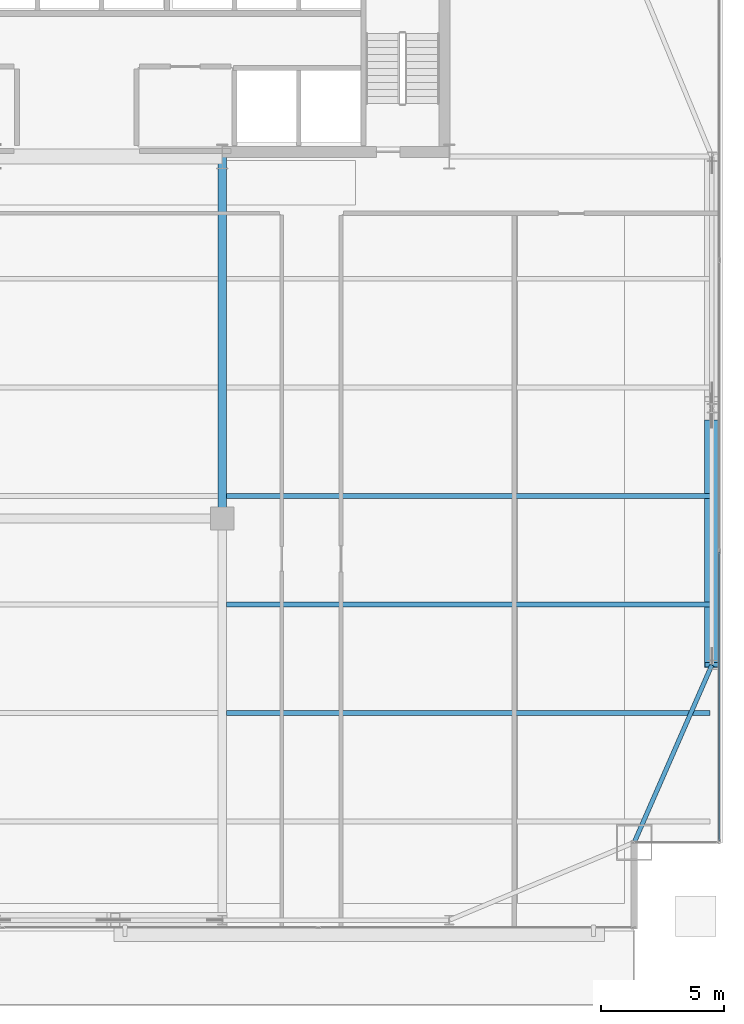
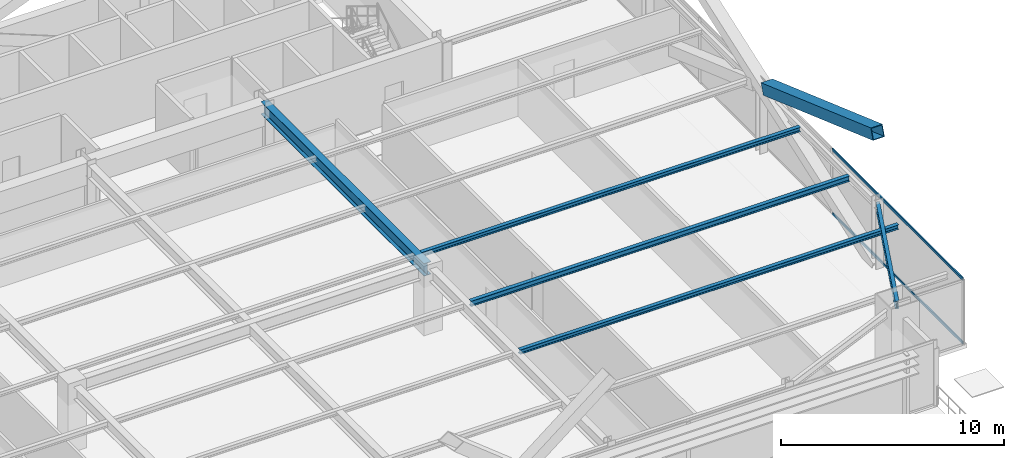
# One storey, part 17 of 35: 5 beams, 3 members, 1 element without a shape of its own.
"""IFC4 building model written with IfcOpenShell, lengths in metres."""

import ifcopenshell
import ifcopenshell.guid

model = None  # the IFC model being written
_history = None  # IfcOwnerHistory: only IFC2X3 demands one
_inside = {}  # id of a spatial element -> (the spatial element, [elements in it])
_under = {}  # id of a project, library or spatial element -> (it, [spatial elements below it])
_declared = {}  # id of a project -> (the project, [libraries it declares])
_typed = {}  # id of a type object -> (the type object, [elements of that type])
_made_of = {}  # id of a material, layer set ... -> (it, [elements and type objects made of it])


def new_model(schema):
    """Start an empty IFC model of exactly this schema.

    Asked for "IFC4X3", IfcOpenShell would pick the latest addendum, in which some entities
    have other attributes; the version numbers below select the first issue.
    IFC2X3 requires an IfcOwnerHistory on every rooted entity: one is made here for all.
    """
    global model, _history
    if schema == "IFC4X3":
        model = ifcopenshell.file(schema_version=(4, 3, 0, 0))
    else:
        model = ifcopenshell.file(schema=schema)
    _inside.clear()
    _under.clear()
    _declared.clear()
    _typed.clear()
    _made_of.clear()
    _history = None
    if model.schema == "IFC2X3":
        org = make("IfcOrganization", Name="unknown")
        user = make(
            "IfcPersonAndOrganization",
            ThePerson=make("IfcPerson", FamilyName="unknown"),
            TheOrganization=org,
        )
        app = make(
            "IfcApplication",
            ApplicationDeveloper=org,
            Version="unknown",
            ApplicationFullName="unknown",
            ApplicationIdentifier="unknown",
        )
        _history = make(
            "IfcOwnerHistory",
            OwningUser=user,
            OwningApplication=app,
            ChangeAction="ADDED",
            CreationDate=0,
        )
    return model


def make(cls, **values):
    """One entity of the class cls with the attributes given. An attribute that is None is left unset."""
    return model.create_entity(
        cls, **{name: value for name, value in values.items() if value is not None}
    )


def rooted(cls, **values):
    """An entity with a GlobalId (a new one), such as an element, a storey or a relation."""
    return make(cls, GlobalId=ifcopenshell.guid.new(), OwnerHistory=_history, **values)


def si_unit(unit_type, name, prefix=None):
    """IfcSIUnit, for example si_unit("LENGTHUNIT", "METRE", prefix="MILLI")."""
    return make("IfcSIUnit", UnitType=unit_type, Prefix=prefix, Name=name)


def assignment(units):
    """IfcUnitAssignment: the units of a project."""
    return None if units is None else make("IfcUnitAssignment", Units=units)


def point(xyz):
    """IfcCartesianPoint."""
    return None if xyz is None else make("IfcCartesianPoint", Coordinates=xyz)


def direction(xyz):
    """IfcDirection."""
    return None if xyz is None else make("IfcDirection", DirectionRatios=xyz)


def frame(location, z_axis=None, x_axis=None):
    """IfcAxis2Placement3D, a coordinate frame: its origin and axes. An axis left out is left unset."""
    return make(
        "IfcAxis2Placement3D",
        Location=point(location),
        Axis=direction(z_axis),
        RefDirection=direction(x_axis),
    )


def frame_2d(location, x_axis=None):
    """IfcAxis2Placement2D, a coordinate frame in the plane: its origin and x axis."""
    return make(
        "IfcAxis2Placement2D", Location=point(location), RefDirection=direction(x_axis)
    )


def origin():
    """The frame at (0, 0, 0) with its axes left unset."""
    return frame((0.0, 0.0, 0.0))


def origin_2d():
    """The frame at (0, 0) in the plane with its x axis left unset."""
    return frame_2d((0.0, 0.0))


def place(relative_to, where):
    """IfcLocalPlacement: puts the frame where relative to a parent placement (None: the world)."""
    return make(
        "IfcLocalPlacement", PlacementRelTo=relative_to, RelativePlacement=where
    )


def context(
    kind, dimensions, precision=None, world=None, true_north=None, identifier=None
):
    """IfcGeometricRepresentationContext, for example the 3D "Model" context."""
    return make(
        "IfcGeometricRepresentationContext",
        ContextIdentifier=identifier,
        ContextType=kind,
        CoordinateSpaceDimension=dimensions,
        Precision=precision,
        WorldCoordinateSystem=world,
        TrueNorth=true_north,
    )


def subcontext(parent, identifier, kind, view, scale=None):
    """IfcGeometricRepresentationSubContext, for example "Body" below "Model"."""
    return make(
        "IfcGeometricRepresentationSubContext",
        ContextIdentifier=identifier,
        ContextType=kind,
        ParentContext=parent,
        TargetScale=scale,
        TargetView=view,
    )


def project(units=None, contexts=None):
    """IfcProject with its units and contexts."""
    return rooted(
        "IfcProject",
        Name="project",
        RepresentationContexts=contexts,
        UnitsInContext=assignment(units),
    )


def spatial(cls, under=None, at=None, **own):
    """A site, building, storey or space (cls), placed at a placement, below another one or the project."""
    s = rooted(cls, ObjectPlacement=at, **own)
    if under is not None:
        _under.setdefault(under.id(), (under, []))[1].append(s)
    return s


def profile(cls, at=None, kind="AREA", **sizes):
    """A parametric profile (cls). Its sizes go by their IFC names, for example OverallWidth=200.0."""
    return make(cls, ProfileType=kind, Position=at, **sizes)


def hollow_rectangle(**sizes):
    """IfcRectangleHollowProfileDef."""
    return profile("IfcRectangleHollowProfileDef", **sizes)


def i_section(**sizes):
    """IfcIShapeProfileDef."""
    return profile("IfcIShapeProfileDef", **sizes)


def extrude(swept, where, along, depth):
    """IfcExtrudedAreaSolid: the profile swept, set in the frame where, extruded along a direction by depth."""
    return make(
        "IfcExtrudedAreaSolid",
        SweptArea=swept,
        Position=where,
        ExtrudedDirection=direction(along),
        Depth=depth,
    )


def shape(context_of_items, identifier, shape_type, items):
    """IfcShapeRepresentation: the items that make up one representation, for example the "Body"."""
    return make(
        "IfcShapeRepresentation",
        ContextOfItems=context_of_items,
        RepresentationIdentifier=identifier,
        RepresentationType=shape_type,
        Items=items,
    )


def source(mapping_origin, context_of_items, identifier, shape_type, items):
    """IfcRepresentationMap: a shape defined once, which mapped items show again and again."""
    return make(
        "IfcRepresentationMap",
        MappingOrigin=mapping_origin,
        MappedRepresentation=shape(context_of_items, identifier, shape_type, items),
    )


def transform(
    local_origin,
    x_axis=None,
    y_axis=None,
    z_axis=None,
    scale=None,
    scale2=None,
    scale3=None,
    uniform=True,
):
    """IfcCartesianTransformationOperator3D, or its non-uniform kind. x_axis, y_axis, z_axis: its Axis1, 2, 3."""
    if uniform:
        return make(
            "IfcCartesianTransformationOperator3D",
            Axis1=direction(x_axis),
            Axis2=direction(y_axis),
            LocalOrigin=point(local_origin),
            Scale=scale,
            Axis3=direction(z_axis),
        )
    return make(
        "IfcCartesianTransformationOperator3DnonUniform",
        Axis1=direction(x_axis),
        Axis2=direction(y_axis),
        LocalOrigin=point(local_origin),
        Scale=scale,
        Axis3=direction(z_axis),
        Scale2=scale2,
        Scale3=scale3,
    )


def mapped(mapping_source, mapping_target):
    """IfcMappedItem: shows the shape of a source again, moved by a transform."""
    return make(
        "IfcMappedItem", MappingSource=mapping_source, MappingTarget=mapping_target
    )


def material(Name=None, Category=None):
    """IfcMaterial."""
    return make("IfcMaterial", Name=Name, Category=Category)


def layer(
    of_material, thickness, ventilated=None, Name=None, Category=None, Priority=None
):
    """IfcMaterialLayer: one layer of a wall or slab, of a material (None: an air gap)."""
    return make(
        "IfcMaterialLayer",
        Material=of_material,
        LayerThickness=thickness,
        IsVentilated=ventilated,
        Name=Name,
        Category=Category,
        Priority=Priority,
    )


def layer_set(layers, Name=None):
    """IfcMaterialLayerSet."""
    return make("IfcMaterialLayerSet", MaterialLayers=layers, LayerSetName=Name)


def material_profile(
    of_material, cross_section, Name=None, Category=None, Priority=None
):
    """IfcMaterialProfile: a cross section and its material."""
    return make(
        "IfcMaterialProfile",
        Name=Name,
        Material=of_material,
        Profile=cross_section,
        Priority=Priority,
        Category=Category,
    )


def profile_set(profiles, Name=None, composite=None):
    """IfcMaterialProfileSet."""
    return make(
        "IfcMaterialProfileSet",
        Name=Name,
        MaterialProfiles=profiles,
        CompositeProfile=composite,
    )


def made_of(thing, what):
    """Note that an element or type object is made of a material, layer set ...; save() writes the relation."""
    if what is not None:
        _made_of.setdefault(what.id(), (what, []))[1].append(thing)
    return thing


def type_object(cls, material=None, **own):
    """A type object (cls), such as IfcWallType, which elements share."""
    return made_of(rooted(cls, **own), material)


def type_shapes(of_type, sources):
    """Give a type object the sources (RepresentationMaps) that its elements show as mapped items."""
    of_type.RepresentationMaps = sources


def element(
    cls,
    number,
    at=None,
    inside=None,
    cuts=None,
    type_object=None,
    material=None,
    context=None,
    identifier="Body",
    shape_type=None,
    held_by="IfcProductDefinitionShape",
    body=None,
    shapes=None,
    **own,
):
    """One element of the class cls, such as IfcWall. Its Tag is "e" and its number.

    at: its placement. inside: the storey or other place that contains it. cuts: it is an
    opening in that element (IfcRelVoidsElement). A single representation is given by context,
    identifier, shape_type and body (its items); several are given by shapes. held_by: the class
    of the entity that holds the representations. save() writes the other relations.
    """
    e = rooted(cls, Tag="e%d" % number, ObjectPlacement=at, **own)
    if body is not None:
        shapes = [shape(context, identifier, shape_type, body)]
    if shapes is not None:
        e.Representation = make(held_by, Representations=shapes)
    if inside is not None:
        _inside.setdefault(inside.id(), (inside, []))[1].append(e)
    if cuts is not None:
        rooted(
            "IfcRelVoidsElement", RelatingBuildingElement=cuts, RelatedOpeningElement=e
        )
    if type_object is not None:
        _typed.setdefault(type_object.id(), (type_object, []))[1].append(e)
    return made_of(e, material)


def aggregate(whole, parts):
    """IfcRelAggregates: a whole, such as a stair, and the parts it consists of."""
    return rooted("IfcRelAggregates", RelatingObject=whole, RelatedObjects=parts)


def save(model, path):
    """Write the relations noted so far, then the file.

    IfcRelAggregates (storeys below a building ...), IfcRelContainedInSpatialStructure (elements
    in a storey), IfcRelDefinesByType, IfcRelAssociatesMaterial and IfcRelDeclares: one each for
    every whole, place, type object, material and project.
    """
    for whole, parts in _under.values():
        aggregate(whole, parts)
    for where, things in _inside.values():
        rooted(
            "IfcRelContainedInSpatialStructure",
            RelatedElements=things,
            RelatingStructure=where,
        )
    for kind, things in _typed.values():
        rooted("IfcRelDefinesByType", RelatedObjects=things, RelatingType=kind)
    for what, things in _made_of.values():
        rooted("IfcRelAssociatesMaterial", RelatedObjects=things, RelatingMaterial=what)
    for by, libraries in _declared.values():
        rooted("IfcRelDeclares", RelatingContext=by, RelatedDefinitions=libraries)
    model.write(path)


model = new_model("IFC4")

# Units and contexts
model_context = context("Model", 3, precision=1e-05, world=origin(), true_north=direction((0.0, 1.0)))
body_context = subcontext(model_context, "Body", "Model", "MODEL_VIEW")
ifc_project = project(units=[si_unit("LENGTHUNIT", "METRE"), si_unit("AREAUNIT", "SQUARE_METRE"), si_unit("VOLUMEUNIT", "CUBIC_METRE"), si_unit("PLANEANGLEUNIT", "RADIAN"), si_unit("MASSUNIT", "GRAM", prefix="KILO")], contexts=[model_context])

# Site, building, storey
site_placement = place(None, origin())
site = spatial("IfcSite", under=ifc_project, at=site_placement, CompositionType="ELEMENT")
building_placement = place(site_placement, origin())
building = spatial("IfcBuilding", under=site, at=building_placement, Name="Varnel Quay Broadcast Tower", CompositionType="ELEMENT")
storey_placement = place(building_placement, frame((0.0, 0.0, 87.0)))
storey = spatial("IfcBuildingStorey", under=building, at=storey_placement, Name="L20", CompositionType="ELEMENT", Elevation=87.0)

# Beams
ifc_material_1 = material(Name="Structural Steel CSA G40.21 350W", Category="steel")
ifc_material_profile_1 = material_profile(ifc_material_1, i_section(OverallWidth=0.180908203125, OverallDepth=0.4169921875, WebThickness=0.010986328125, FlangeThickness=0.018310546875, FilletRadius=0.011962890625, at=origin_2d()), Name="W410X85")
ifc_profile_set_1 = profile_set([ifc_material_profile_1], Name="Structural Steel CSA G40.21 350W")
beam_type_1 = type_object("IfcBeamType", Name="Beam_W410X85", PredefinedType="SPANDREL", material=ifc_profile_set_1)
shared_shape_1 = source(origin(), body_context, "Body", "SweptSolid", [
    extrude(i_section(OverallWidth=0.180908203125, OverallDepth=0.4169921875, WebThickness=0.010986328125, FlangeThickness=0.018310546875, FilletRadius=0.011962890625, at=origin_2d()), origin(), (0.0, 0.0, 1.0), 7.81884765625),
])
type_shapes(beam_type_1, [shared_shape_1])
beam_1_placement = place(storey_placement, frame((59.907958984375, 7.818359375, 3.341552734375), z_axis=(0.400827023998, 0.916153751743, 0.0), x_axis=(-0.916153751743, 0.400827023998, 0.0)))
element("IfcBeam", 1, at=beam_1_placement, inside=storey, type_object=beam_type_1, Name="L20 East Spandrel MC-SE-TC-E1", PredefinedType="SPANDREL", context=body_context, shape_type="MappedRepresentation", body=[
    mapped(shared_shape_1, transform((0.0, 0.0, 0.0), x_axis=(1.0, 0.0, 0.0), y_axis=(0.0, 1.0, 0.0), z_axis=(0.0, 0.0, 1.0), scale=1.0)),
])
ifc_material_profile_2 = material_profile(ifc_material_1, i_section(OverallWidth=0.35498046875, OverallDepth=0.695068359375, WebThickness=0.015380859375, FlangeThickness=0.02490234375, FilletRadius=0.01806640625, at=origin_2d()), Name="W690X217")
ifc_profile_set_2 = profile_set([ifc_material_profile_2], Name="Structural Steel CSA G40.21 350W")
beam_type_2 = type_object("IfcBeamType", Name="Girder_W690X217", PredefinedType="BEAM", material=ifc_profile_set_2)
shared_shape_2 = source(origin(), body_context, "Body", "SweptSolid", [
    extrude(i_section(OverallWidth=0.35498046875, OverallDepth=0.695068359375, WebThickness=0.015380859375, FlangeThickness=0.02490234375, FilletRadius=0.01806640625, at=origin_2d()), origin(), (0.0, 0.0, 1.0), 14.630126953125),
])
type_shapes(beam_type_2, [shared_shape_2])
beam_2_placement = place(storey_placement, frame((43.199951171875, 20.949951171875, 3.202392578125), z_axis=(0.0, 1.0, 0.0), x_axis=(-1.0, 0.0, 0.0)))
element("IfcBeam", 2, at=beam_2_placement, inside=storey, type_object=beam_type_2, Name="L20 Primary Girder IC-02-CC-S4", PredefinedType="BEAM", context=body_context, shape_type="MappedRepresentation", body=[
    mapped(shared_shape_2, transform((0.0, 0.0, 0.0), x_axis=(1.0, 0.0, 0.0), y_axis=(0.0, 1.0, 0.0), z_axis=(0.0, 0.0, 1.0), scale=1.0)),
])
ifc_material_profile_3 = material_profile(ifc_material_1, i_section(OverallWidth=0.202880859375, OverallDepth=0.302978515625, WebThickness=0.007568359375, FlangeThickness=0.01318359375, FilletRadius=0.011962890625, at=origin_2d()), Name="W310X60")
ifc_profile_set_3 = profile_set([ifc_material_profile_3], Name="Structural Steel CSA G40.21 350W")
beam_type_3 = type_object("IfcBeamType", Name="Beam_W310X60", PredefinedType="JOIST", material=ifc_profile_set_3)
shared_shape_3 = source(origin(), body_context, "Body", "SweptSolid", [
    extrude(i_section(OverallWidth=0.202880859375, OverallDepth=0.302978515625, WebThickness=0.007568359375, FlangeThickness=0.01318359375, FilletRadius=0.011962890625, at=origin_2d()), origin(), (0.0, 0.0, 1.0), 19.592041015625),
])
type_shapes(beam_type_3, [shared_shape_3])
beam_3_placement = place(storey_placement, frame((43.37255859375, 17.449951171875, 3.3984375), z_axis=(1.0, 0.0, 0.0), x_axis=(0.0, 1.0, 0.0)))
element("IfcBeam", 3, at=beam_3_placement, inside=storey, type_object=beam_type_3, Name="L20 East Floor Joist 3", PredefinedType="JOIST", context=body_context, shape_type="MappedRepresentation", body=[
    mapped(shared_shape_3, transform((0.0, 0.0, 0.0), x_axis=(1.0, 0.0, 0.0), y_axis=(0.0, 1.0, 0.0), z_axis=(0.0, 0.0, 1.0), scale=1.0)),
])
ifc_material_profile_4 = material_profile(ifc_material_1, i_section(OverallWidth=0.201904296875, OverallDepth=0.2470703125, WebThickness=0.00732421875, FlangeThickness=0.010986328125, FilletRadius=0.010986328125, at=origin_2d()), Name="W250X49")
ifc_profile_set_4 = profile_set([ifc_material_profile_4], Name="Structural Steel CSA G40.21 350W")
beam_type_4 = type_object("IfcBeamType", Name="Beam_W250X49", PredefinedType="JOIST", material=ifc_profile_set_4)
shared_shape_4 = source(origin(), body_context, "Body", "SweptSolid", [
    extrude(i_section(OverallWidth=0.201904296875, OverallDepth=0.2470703125, WebThickness=0.00732421875, FlangeThickness=0.010986328125, FilletRadius=0.010986328125, at=origin_2d()), origin(), (0.0, 0.0, 1.0), 19.592041015625),
])
type_shapes(beam_type_4, [shared_shape_4])
for number, where, z_axis, x_axis, name in (
    (4, (43.37255859375, 13.050048828125, 3.426513671875), (1.0, 0.0, 0.0), (0.0, 1.0, 0.0), "L20 East Floor Joist 2"),
    (5, (43.37255859375, 21.85009765625, 3.426513671875), (1.0, 0.0, 0.0), (0.0, 1.0, 0.0), "L20 East Floor Joist 4"),
):
    element("IfcBeam", number, at=place(storey_placement, frame(where, z_axis=z_axis, x_axis=x_axis)), inside=storey, type_object=beam_type_4, Name=name, PredefinedType="JOIST", context=body_context, shape_type="MappedRepresentation", body=[
        mapped(shared_shape_4, transform((0.0, 0.0, 0.0), x_axis=(1.0, 0.0, 0.0), y_axis=(0.0, 1.0, 0.0), z_axis=(0.0, 0.0, 1.0), scale=1.0)),
    ])

# Member
ifc_material_2 = material(Name="Structural Steel CSA G40.21 350WT", Category="steel")
ifc_material_profile_5 = material_profile(ifc_material_2, hollow_rectangle(XDim=0.60009765625, YDim=0.60009765625, WallThickness=0.028076171875, at=origin_2d()), Name="BOX600X600X28")
ifc_profile_set_5 = profile_set([ifc_material_profile_5], Name="Structural Steel CSA G40.21 350WT")
member_type_1 = type_object("IfcMemberType", Name="Brace_BOX600X600X28", PredefinedType="BRACE", material=ifc_profile_set_5)
shared_shape_5 = source(origin(), body_context, "Body", "SweptSolid", [
    extrude(hollow_rectangle(XDim=0.60009765625, YDim=0.60009765625, WallThickness=0.028076171875, at=origin_2d()), origin(), (0.0, 0.0, 1.0), 10.42822265625),
])
type_shapes(member_type_1, [shared_shape_5])
member_1_placement = place(storey_placement, frame((63.050048828125, 24.827880859375, 3.842529296875), z_axis=(0.0, -0.942420605046, 0.334429967534), x_axis=(1.0, 0.0, 0.0)))
element("IfcMember", 6, at=member_1_placement, inside=storey, type_object=member_type_1, Name="Zone 2 Mega-Brace E-FT1 Split Diag B2", PredefinedType="BRACE", context=body_context, shape_type="MappedRepresentation", body=[
    mapped(shared_shape_5, transform((0.0, 0.0, 0.0), x_axis=(1.0, 0.0, 0.0), y_axis=(0.0, 1.0, 0.0), z_axis=(0.0, 0.0, 1.0), scale=1.0)),
])

# Curtain wall, members
ifc_material_3 = material(Name="Anodised Bronze Aluminium 6063-T6", Category="aluminium")
ifc_layer = layer(ifc_material_3, 0.18994140625, Name="Anodised Bronze Aluminium 6063-T6")
ifc_layer_set = layer_set([ifc_layer], Name="Anodised Bronze Aluminium 6063-T6")
curtain_wall_type = type_object("IfcCurtainWallType", Name="CW_LowerTower", PredefinedType="NOTDEFINED", material=ifc_layer_set)
curtain_wall_placement = place(storey_placement, origin())
curtain_wall = element("IfcCurtainWall", 7, at=curtain_wall_placement, inside=storey, type_object=curtain_wall_type, Name="L20 East Unitised Curtain Wall", PredefinedType="NOTDEFINED")
ifc_material_profile_6 = material_profile(ifc_material_3, hollow_rectangle(XDim=0.06005859375, YDim=0.14501953125, WallThickness=0.00341796875, at=origin_2d()), Name="ALU60X145X3.5")
ifc_profile_set_6 = profile_set([ifc_material_profile_6], Name="Anodised Bronze Aluminium 6063-T6")
member_type_2 = type_object("IfcMemberType", Name="Tran_CWS-02", PredefinedType="USERDEFINED", material=ifc_profile_set_6)
shared_shape_6 = source(origin(), body_context, "Body", "SweptSolid", [
    extrude(hollow_rectangle(XDim=0.06005859375, YDim=0.14501953125, WallThickness=0.00341796875, at=origin_2d()), origin(), (0.0, 0.0, 1.0), 11.69482421875),
])
type_shapes(member_type_2, [shared_shape_6])
member_2_placement = place(storey_placement, frame((63.35009765625, 7.8701171875, 0.030029296875), z_axis=(0.0, 1.0, 0.0), x_axis=(-1.0, 0.0, 0.0)))
member_2 = element("IfcMember", 8, at=member_2_placement, type_object=member_type_2, Name="CWS-02 transom 1.1", ObjectType="TRANSOM", PredefinedType="USERDEFINED", context=body_context, shape_type="MappedRepresentation", body=[
    mapped(shared_shape_6, transform((0.0, 0.0, 0.0), x_axis=(1.0, 0.0, 0.0), y_axis=(0.0, 1.0, 0.0), z_axis=(0.0, 0.0, 1.0), scale=1.0)),
])
member_3_placement = place(storey_placement, frame((63.35009765625, 7.8701171875, 3.52001953125), z_axis=(0.0, 1.0, 0.0), x_axis=(-1.0, 0.0, 0.0)))
member_3 = element("IfcMember", 9, at=member_3_placement, type_object=member_type_2, Name="CWS-02 transom 1.2", ObjectType="TRANSOM", PredefinedType="USERDEFINED", context=body_context, shape_type="MappedRepresentation", body=[
    mapped(shared_shape_6, transform((0.0, 0.0, 0.0), x_axis=(1.0, 0.0, 0.0), y_axis=(0.0, 1.0, 0.0), z_axis=(0.0, 0.0, 1.0), scale=1.0)),
])
aggregate(curtain_wall, [member_2, member_3])

save(model, "model.ifc")
